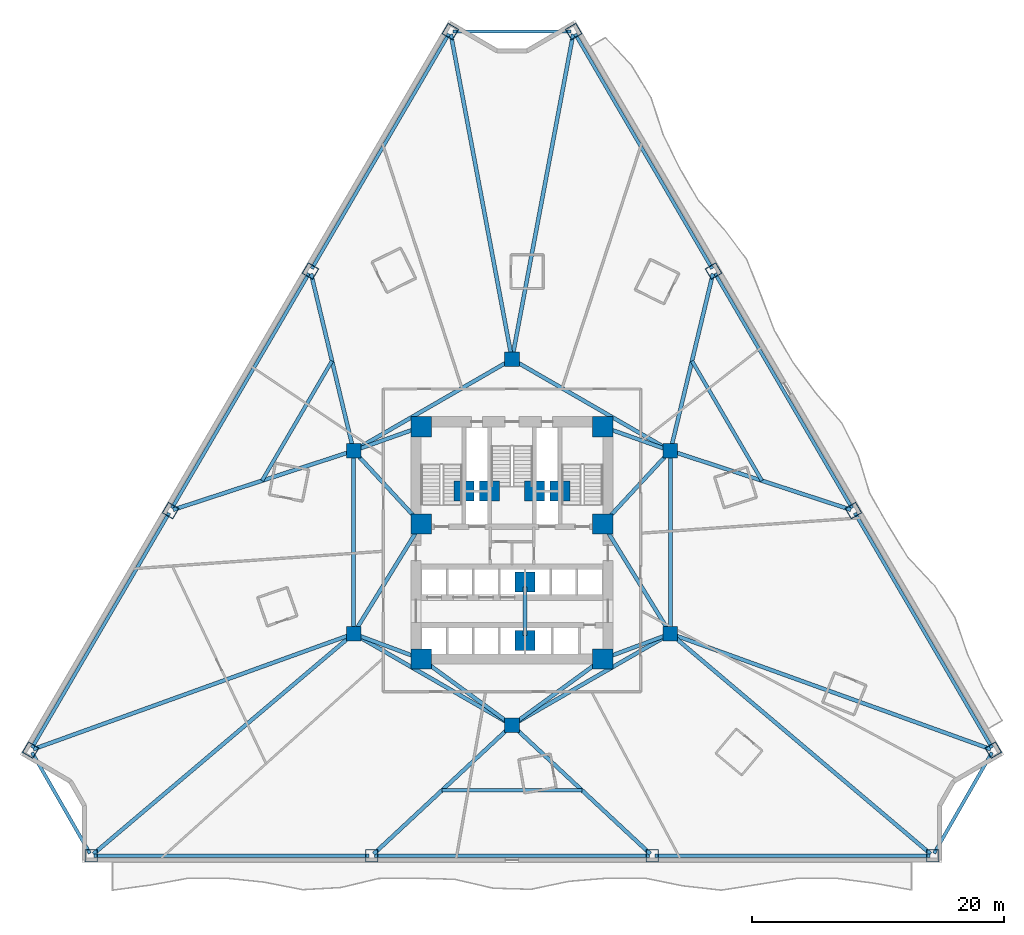
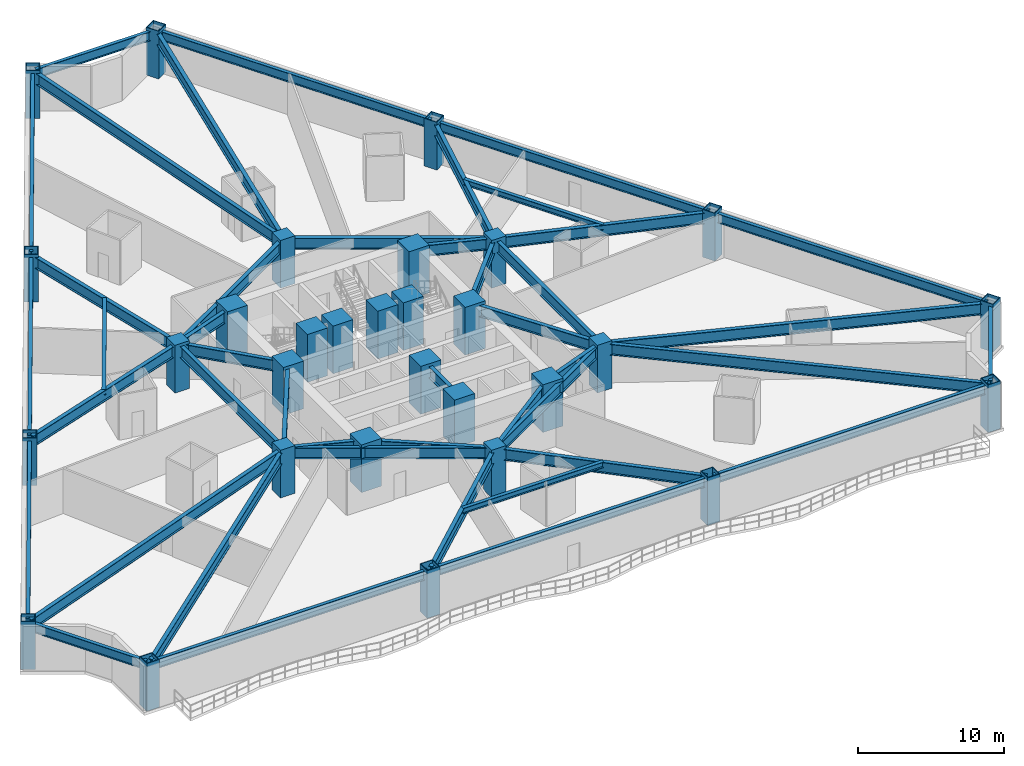
# One storey, part 1 of 10: 44 beams, 30 columns.
"""IFC4 building model written with IfcOpenShell, lengths in metres."""

from ifc_helpers import new_model, si_unit, direction, frame, origin, origin_2d, place, context, subcontext, project, spatial, rectangle, hollow_rectangle, i_section, extrude, material, material_profile, profile_set, type_object, element, save


model = new_model("IFC4")

# Units and contexts
model_context = context("Model", 3, precision=1e-05, world=origin(), true_north=direction((0.0, 1.0)))
body_context = subcontext(model_context, "Body", "Model", "MODEL_VIEW")
ifc_project = project(units=[si_unit("LENGTHUNIT", "METRE"), si_unit("AREAUNIT", "SQUARE_METRE"), si_unit("VOLUMEUNIT", "CUBIC_METRE"), si_unit("PLANEANGLEUNIT", "RADIAN"), si_unit("MASSUNIT", "GRAM", prefix="KILO")], contexts=[model_context])

# Site, building, storey
site_placement = place(None, origin())
site = spatial("IfcSite", under=ifc_project, at=site_placement, CompositionType="ELEMENT")
building_placement = place(site_placement, origin())
building = spatial("IfcBuilding", under=site, at=building_placement, Name="Apsidion Concourse Tower", CompositionType="ELEMENT")
storey_placement = place(building_placement, frame((0.0, 0.0, 38.39990234375)))
storey = spatial("IfcBuildingStorey", under=building, at=storey_placement, Name="L07", CompositionType="ELEMENT", Elevation=38.39990234375)

# Columns
ifc_material_1 = material(Name="Structural steel ASTM A572 Grade 50", Category="steel")
ifc_material_profile_1 = material_profile(ifc_material_1, hollow_rectangle(XDim=1.0, YDim=1.0, WallThickness=0.06005859375, at=origin_2d()), Name="BOX1000X1000X60")
ifc_profile_set_1 = profile_set([ifc_material_profile_1], Name="Structural steel ASTM A572 Grade 50")
column_type_1 = type_object("IfcColumnType", Name="COL-BOX-1000", PredefinedType="COLUMN", material=ifc_profile_set_1)
for number, where, z_axis, x_axis, name in (
    (1, (-4.887451171875, 40.481201171875, 0.0), (0.0, 0.0, 1.0), (0.50437692518, 0.863483594138, 0.0), "L07 Rotated Perimeter Column PC01"),
    (2, (-15.976318359375, 21.49365234375, 0.0), (0.0, 0.0, 1.0), (0.50437692518, 0.863483594138, 0.0), "L07 Rotated Perimeter Column PC02"),
    (3, (-27.065185546875, 2.50634765625, 0.0), (0.0, 0.0, 1.0), (0.50437692518, 0.863483594138, 0.0), "L07 Rotated Perimeter Column PC03"),
    (4, (-38.154052734375, -16.481201171875, 0.0), (0.0, 0.0, 1.0), (0.50437692518, 0.863483594138, 0.0), "L07 Rotated Perimeter Column PC04"),
    (5, (-33.35009765625, -24.85009765625, 0.0), (0.0, 0.0, 1.0), (1.0, 0.0, 0.0), "L07 Rotated Perimeter Column PC05"),
    (6, (-11.11669921875, -24.85009765625, 0.0), (0.0, 0.0, 1.0), (1.0, 0.0, 0.0), "L07 Rotated Perimeter Column PC06"),
    (7, (11.11669921875, -24.85009765625, 0.0), (0.0, 0.0, 1.0), (1.0, 0.0, 0.0), "L07 Rotated Perimeter Column PC07"),
    (8, (33.35009765625, -24.85009765625, 0.0), (0.0, 0.0, 1.0), (1.0, 0.0, 0.0), "L07 Rotated Perimeter Column PC08"),
    (9, (38.154052734375, -16.481201171875, 0.0), (0.0, 0.0, 1.0), (-0.50437692518, 0.863483594138, 0.0), "L07 Rotated Perimeter Column PC09"),
    (10, (27.065185546875, 2.50634765625, 0.0), (0.0, 0.0, 1.0), (-0.50437692518, 0.863483594138, 0.0), "L07 Rotated Perimeter Column PC10"),
    (11, (15.976318359375, 21.49365234375, 0.0), (0.0, 0.0, 1.0), (-0.50437692518, 0.863483594138, 0.0), "L07 Rotated Perimeter Column PC11"),
    (12, (4.887451171875, 40.481201171875, 0.0), (0.0, 0.0, 1.0), (-0.50437692518, 0.863483594138, 0.0), "L07 Rotated Perimeter Column PC12"),
):
    element("IfcColumn", number, at=place(storey_placement, frame(where, z_axis=z_axis, x_axis=x_axis)), inside=storey, type_object=column_type_1, Name=name, PredefinedType="COLUMN", context=body_context, shape_type="SweptSolid", body=[
        extrude(hollow_rectangle(XDim=1.0, YDim=1.0, WallThickness=0.06005859375, at=origin_2d()), origin(), (0.0, 0.0, 1.0), 4.0),
    ])
ifc_material_2 = material(Name="Concrete C50/60", Category="concrete")
ifc_material_profile_2 = material_profile(ifc_material_2, rectangle(XDim=1.14990234375, YDim=1.14990234375, at=origin_2d()), Name="RC 1150x1150")
ifc_profile_set_2 = profile_set([ifc_material_profile_2], Name="Concrete C50/60")
column_type_2 = type_object("IfcColumnType", Name="COL-RC-1150", PredefinedType="COLUMN", material=ifc_profile_set_2)
for number, where, z_axis, x_axis, name in (
    (13, (-12.56005859375, -7.25, 0.0), (0.0, 0.0, 1.0), (1.0, 0.0, 0.0), "L07 Interior Spine Column IC1"),
    (14, (12.56005859375, -7.25, 0.0), (0.0, 0.0, 1.0), (1.0, 0.0, 0.0), "L07 Interior Spine Column IC2"),
    (15, (12.56005859375, 7.25, 0.0), (0.0, 0.0, 1.0), (1.0, 0.0, 0.0), "L07 Interior Spine Column IC3"),
    (16, (0.0, 14.5, 0.0), (0.0, 0.0, 1.0), (1.0, 0.0, 0.0), "L07 Interior Spine Column IC4"),
    (17, (-12.56005859375, 7.25, 0.0), (0.0, 0.0, 1.0), (1.0, 0.0, 0.0), "L07 Interior Spine Column IC5"),
    (18, (0.0, -14.5, 0.0), (0.0, 0.0, 1.0), (1.0, 0.0, 0.0), "L07 Interior Spine Column IC6"),
):
    element("IfcColumn", number, at=place(storey_placement, frame(where, z_axis=z_axis, x_axis=x_axis)), inside=storey, type_object=column_type_2, Name=name, PredefinedType="COLUMN", context=body_context, shape_type="SweptSolid", body=[
        extrude(rectangle(XDim=1.14990234375, YDim=1.14990234375, at=origin_2d()), origin(), (0.0, 0.0, 1.0), 4.0),
    ])
ifc_material_3 = material(Name="Concrete C60/75", Category="concrete")
ifc_material_profile_3 = material_profile(ifc_material_3, rectangle(XDim=1.60009765625, YDim=1.60009765625, at=origin_2d()), Name="RC 1600x1600")
ifc_profile_set_3 = profile_set([ifc_material_profile_3], Name="Concrete C60/75")
column_type_3 = type_object("IfcColumnType", Name="COL-RC-1600", PredefinedType="COLUMN", material=ifc_profile_set_3)
for number, where, z_axis, x_axis, name in (
    (19, (-7.199951171875, -9.25, 0.0), (0.0, 0.0, 1.0), (1.0, 0.0, 0.0), "L07 Core Super-Column SC1"),
    (20, (7.199951171875, -9.25, 0.0), (0.0, 0.0, 1.0), (1.0, 0.0, 0.0), "L07 Core Super-Column SC2"),
    (21, (7.199951171875, 1.449951171875, 0.0), (0.0, 0.0, 1.0), (1.0, 0.0, 0.0), "L07 Core Super-Column SC3"),
    (22, (7.199951171875, 9.14990234375, 0.0), (0.0, 0.0, 1.0), (1.0, 0.0, 0.0), "L07 Core Super-Column SC4"),
    (23, (-7.199951171875, 9.14990234375, 0.0), (0.0, 0.0, 1.0), (1.0, 0.0, 0.0), "L07 Core Super-Column SC5"),
    (24, (-7.199951171875, 1.449951171875, 0.0), (0.0, 0.0, 1.0), (1.0, 0.0, 0.0), "L07 Core Super-Column SC6"),
    (25, (-3.800048828125, 4.050048828125, 0.0), (0.0, 0.0, 1.0), (1.0, 0.0, 0.0), "L07 Core Super-Column CC1"),
    (26, (3.800048828125, 4.050048828125, 0.0), (0.0, 0.0, 1.0), (1.0, 0.0, 0.0), "L07 Core Super-Column CC2"),
    (27, (-1.77490234375, 4.050048828125, 0.0), (0.0, 0.0, 1.0), (1.0, 0.0, 0.0), "L07 Core Super-Column CC3"),
    (28, (1.77490234375, 4.050048828125, 0.0), (0.0, 0.0, 1.0), (1.0, 0.0, 0.0), "L07 Core Super-Column CC4"),
    (29, (1.02490234375, -3.14990234375, 0.0), (0.0, 0.0, 1.0), (1.0, 0.0, 0.0), "L07 Core Super-Column CC5"),
    (30, (1.02490234375, -7.800048828125, 0.0), (0.0, 0.0, 1.0), (1.0, 0.0, 0.0), "L07 Core Super-Column CC6"),
):
    element("IfcColumn", number, at=place(storey_placement, frame(where, z_axis=z_axis, x_axis=x_axis)), inside=storey, type_object=column_type_3, Name=name, PredefinedType="COLUMN", context=body_context, shape_type="SweptSolid", body=[
        extrude(rectangle(XDim=1.60009765625, YDim=1.60009765625, at=origin_2d()), origin(), (0.0, 0.0, 1.0), 4.0),
    ])

# Beams
ifc_material_4 = material(Name="Structural steel ASTM A992 Grade 50", Category="steel")
ifc_material_profile_4 = material_profile(ifc_material_4, i_section(OverallWidth=0.283935546875, OverallDepth=0.47607421875, WebThickness=0.014892578125, FlangeThickness=0.02392578125, at=origin_2d()), Name="W18X106")
ifc_profile_set_4 = profile_set([ifc_material_profile_4], Name="Structural steel ASTM A992 Grade 50")
beam_type_1 = type_object("IfcBeamType", Name="BM-FL-W18H", PredefinedType="BEAM", material=ifc_profile_set_4)
beam_1_placement = place(storey_placement, frame((-14.268310546875, 14.371826171875, 3.51220703125), z_axis=(-0.504293469124, -0.863532336974, 0.0), x_axis=(0.863532336974, -0.504293469124, 0.0)))
element("IfcBeam", 31, at=beam_1_placement, inside=storey, type_object=beam_type_1, Name="L07 Secondary Floor Beam SEC-F1", PredefinedType="BEAM", context=body_context, shape_type="SweptSolid", body=[
    extrude(i_section(OverallWidth=0.283935546875, OverallDepth=0.47607421875, WebThickness=0.014892578125, FlangeThickness=0.02392578125, at=origin_2d()), origin(), (0.0, 0.0, 1.0), 10.993896484375),
])
beam_2_placement = place(storey_placement, frame((-5.558349609375, -19.675048828125, 3.51220703125), z_axis=(1.0, 0.0, 0.0), x_axis=(0.0, 1.0, 0.0)))
element("IfcBeam", 32, at=beam_2_placement, inside=storey, type_object=beam_type_1, Name="L07 Secondary Floor Beam SEC-F2", PredefinedType="BEAM", context=body_context, shape_type="SweptSolid", body=[
    extrude(i_section(OverallWidth=0.283935546875, OverallDepth=0.47607421875, WebThickness=0.014892578125, FlangeThickness=0.02392578125, at=origin_2d()), origin(), (0.0, 0.0, 1.0), 11.11669921875),
])
beam_3_placement = place(storey_placement, frame((19.8125, 4.878173828125, 3.51220703125), z_axis=(-0.504293469124, 0.863532336974, 0.0), x_axis=(-0.863532336974, -0.504293469124, 0.0)))
element("IfcBeam", 33, at=beam_3_placement, inside=storey, type_object=beam_type_1, Name="L07 Secondary Floor Beam SEC-F3", PredefinedType="BEAM", context=body_context, shape_type="SweptSolid", body=[
    extrude(i_section(OverallWidth=0.283935546875, OverallDepth=0.47607421875, WebThickness=0.014892578125, FlangeThickness=0.02392578125, at=origin_2d()), origin(), (0.0, 0.0, 1.0), 10.993896484375),
])
ifc_material_profile_5 = material_profile(ifc_material_4, i_section(OverallWidth=0.31005859375, OverallDepth=0.931884765625, WebThickness=0.02099609375, FlangeThickness=0.034423828125, at=origin_2d()), Name="W36X210")
ifc_profile_set_5 = profile_set([ifc_material_profile_5], Name="Structural steel ASTM A992 Grade 50")
beam_type_2 = type_object("IfcBeamType", Name="BM-G-W36", PredefinedType="USERDEFINED", material=ifc_profile_set_5)
beam_4_placement = place(storey_placement, frame((-12.185302734375, -7.389892578125, 3.2841796875), z_axis=(0.936913021145, -0.349562570664, 0.0), x_axis=(0.349562570664, 0.936913021145, 0.0)))
element("IfcBeam", 34, at=beam_4_placement, inside=storey, type_object=beam_type_2, Name="L07 Core Coupling Girder IC1-SC1", ObjectType="GIRDER", PredefinedType="USERDEFINED", context=body_context, shape_type="SweptSolid", body=[
    extrude(i_section(OverallWidth=0.31005859375, OverallDepth=0.931884765625, WebThickness=0.02099609375, FlangeThickness=0.034423828125, at=origin_2d()), origin(), (0.0, 0.0, 1.0), 4.921142578125),
])
beam_5_placement = place(storey_placement, frame((-12.35009765625, -6.909423828125, 3.2841796875), z_axis=(0.524524009763, 0.851395656074, 0.0), x_axis=(-0.851395656074, 0.524524009763, 0.0)))
element("IfcBeam", 35, at=beam_5_placement, inside=storey, type_object=beam_type_2, Name="L07 Core Coupling Girder IC1-SC6", ObjectType="GIRDER", PredefinedType="USERDEFINED", context=body_context, shape_type="SweptSolid", body=[
    extrude(i_section(OverallWidth=0.31005859375, OverallDepth=0.931884765625, WebThickness=0.02099609375, FlangeThickness=0.034423828125, at=origin_2d()), origin(), (0.0, 0.0, 1.0), 9.41845703125),
])
beam_6_placement = place(storey_placement, frame((12.185302734375, -7.389892578125, 3.2841796875), z_axis=(-0.936913021145, -0.349562570664, 0.0), x_axis=(0.349562570664, -0.936913021145, 0.0)))
element("IfcBeam", 36, at=beam_6_placement, inside=storey, type_object=beam_type_2, Name="L07 Core Coupling Girder IC2-SC2", ObjectType="GIRDER", PredefinedType="USERDEFINED", context=body_context, shape_type="SweptSolid", body=[
    extrude(i_section(OverallWidth=0.31005859375, OverallDepth=0.931884765625, WebThickness=0.02099609375, FlangeThickness=0.034423828125, at=origin_2d()), origin(), (0.0, 0.0, 1.0), 4.921142578125),
])
beam_7_placement = place(storey_placement, frame((12.35009765625, -6.909423828125, 3.2841796875), z_axis=(-0.524524009763, 0.851395656074, 0.0), x_axis=(-0.851395656074, -0.524524009763, 0.0)))
element("IfcBeam", 37, at=beam_7_placement, inside=storey, type_object=beam_type_2, Name="L07 Core Coupling Girder IC2-SC3", ObjectType="GIRDER", PredefinedType="USERDEFINED", context=body_context, shape_type="SweptSolid", body=[
    extrude(i_section(OverallWidth=0.31005859375, OverallDepth=0.931884765625, WebThickness=0.02099609375, FlangeThickness=0.034423828125, at=origin_2d()), origin(), (0.0, 0.0, 1.0), 9.41845703125),
])
beam_8_placement = place(storey_placement, frame((12.28857421875, 6.956298828125, 3.2841796875), z_axis=(-0.678712876106, -0.73440372535, 0.0), x_axis=(0.73440372535, -0.678712876106, 0.0)))
element("IfcBeam", 38, at=beam_8_placement, inside=storey, type_object=beam_type_2, Name="L07 Core Coupling Girder IC3-SC3", ObjectType="GIRDER", PredefinedType="USERDEFINED", context=body_context, shape_type="SweptSolid", body=[
    extrude(i_section(OverallWidth=0.31005859375, OverallDepth=0.931884765625, WebThickness=0.02099609375, FlangeThickness=0.034423828125, at=origin_2d()), origin(), (0.0, 0.0, 1.0), 7.097412109375),
])
beam_9_placement = place(storey_placement, frame((12.18310546875, 7.383544921875, 3.2841796875), z_axis=(-0.942533844539, 0.334110688094, 0.0), x_axis=(-0.334110688094, -0.942533844539, 0.0)))
element("IfcBeam", 39, at=beam_9_placement, inside=storey, type_object=beam_type_2, Name="L07 Core Coupling Girder IC3-SC4", ObjectType="GIRDER", PredefinedType="USERDEFINED", context=body_context, shape_type="SweptSolid", body=[
    extrude(i_section(OverallWidth=0.31005859375, OverallDepth=0.931884765625, WebThickness=0.02099609375, FlangeThickness=0.034423828125, at=origin_2d()), origin(), (0.0, 0.0, 1.0), 4.886962890625),
])
beam_10_placement = place(storey_placement, frame((-12.28857421875, 6.956298828125, 3.2841796875), z_axis=(0.678712876106, -0.73440372535, 0.0), x_axis=(0.73440372535, 0.678712876106, 0.0)))
element("IfcBeam", 40, at=beam_10_placement, inside=storey, type_object=beam_type_2, Name="L07 Core Coupling Girder IC5-SC6", ObjectType="GIRDER", PredefinedType="USERDEFINED", context=body_context, shape_type="SweptSolid", body=[
    extrude(i_section(OverallWidth=0.31005859375, OverallDepth=0.931884765625, WebThickness=0.02099609375, FlangeThickness=0.034423828125, at=origin_2d()), origin(), (0.0, 0.0, 1.0), 7.097412109375),
])
beam_11_placement = place(storey_placement, frame((-12.18310546875, 7.383544921875, 3.2841796875), z_axis=(0.942533844539, 0.334110688094, 0.0), x_axis=(-0.334110688094, 0.942533844539, 0.0)))
element("IfcBeam", 41, at=beam_11_placement, inside=storey, type_object=beam_type_2, Name="L07 Core Coupling Girder IC5-SC5", ObjectType="GIRDER", PredefinedType="USERDEFINED", context=body_context, shape_type="SweptSolid", body=[
    extrude(i_section(OverallWidth=0.31005859375, OverallDepth=0.931884765625, WebThickness=0.02099609375, FlangeThickness=0.034423828125, at=origin_2d()), origin(), (0.0, 0.0, 1.0), 4.886962890625),
])
for number, where, z_axis, x_axis, name in (
    (42, (-0.3232421875, -14.264404296875, 3.2841796875), (-0.807993498909, 0.589191399905, 0.0), (-0.589191399905, -0.807993498909, 0.0), "L07 Core Coupling Girder IC6-SC1"),
    (43, (0.3232421875, -14.264404296875, 3.2841796875), (0.807993498909, 0.589191399905, 0.0), (-0.589191399905, 0.807993498909, 0.0), "L07 Core Coupling Girder IC6-SC2"),
):
    element("IfcBeam", number, at=place(storey_placement, frame(where, z_axis=z_axis, x_axis=x_axis)), inside=storey, type_object=beam_type_2, Name=name, ObjectType="GIRDER", PredefinedType="USERDEFINED", context=body_context, shape_type="SweptSolid", body=[
        extrude(i_section(OverallWidth=0.31005859375, OverallDepth=0.931884765625, WebThickness=0.02099609375, FlangeThickness=0.034423828125, at=origin_2d()), origin(), (0.0, 0.0, 1.0), 8.11083984375),
    ])
beam_12_placement = place(storey_placement, frame((-12.56005859375, -6.85009765625, 3.2841796875), z_axis=(0.0, 1.0, 0.0), x_axis=(-1.0, 0.0, 0.0)))
element("IfcBeam", 44, at=beam_12_placement, inside=storey, type_object=beam_type_2, Name="L07 Core Coupling Girder IC1-IC5", ObjectType="GIRDER", PredefinedType="USERDEFINED", context=body_context, shape_type="SweptSolid", body=[
    extrude(i_section(OverallWidth=0.31005859375, OverallDepth=0.931884765625, WebThickness=0.02099609375, FlangeThickness=0.034423828125, at=origin_2d()), origin(), (0.0, 0.0, 1.0), 13.7001953125),
])
for number, where, z_axis, x_axis, name in (
    (45, (-12.213623046875, 7.449951171875, 3.2841796875), (0.866070471464, 0.499921932364, 0.0), (-0.499921932364, 0.866070471464, 0.0), "L07 Core Coupling Girder IC5-IC4"),
    (46, (0.346435546875, 14.300048828125, 3.2841796875), (0.866070471464, -0.499921932364, 0.0), (0.499921932364, 0.866070471464, 0.0), "L07 Core Coupling Girder IC4-IC3"),
):
    element("IfcBeam", number, at=place(storey_placement, frame(where, z_axis=z_axis, x_axis=x_axis)), inside=storey, type_object=beam_type_2, Name=name, ObjectType="GIRDER", PredefinedType="USERDEFINED", context=body_context, shape_type="SweptSolid", body=[
        extrude(i_section(OverallWidth=0.31005859375, OverallDepth=0.931884765625, WebThickness=0.02099609375, FlangeThickness=0.034423828125, at=origin_2d()), origin(), (0.0, 0.0, 1.0), 13.702392578125),
    ])
beam_13_placement = place(storey_placement, frame((12.56005859375, 6.85009765625, 3.2841796875), z_axis=(0.0, -1.0, 0.0), x_axis=(1.0, 0.0, 0.0)))
element("IfcBeam", 47, at=beam_13_placement, inside=storey, type_object=beam_type_2, Name="L07 Core Coupling Girder IC3-IC2", ObjectType="GIRDER", PredefinedType="USERDEFINED", context=body_context, shape_type="SweptSolid", body=[
    extrude(i_section(OverallWidth=0.31005859375, OverallDepth=0.931884765625, WebThickness=0.02099609375, FlangeThickness=0.034423828125, at=origin_2d()), origin(), (0.0, 0.0, 1.0), 13.7001953125),
])
for number, where, z_axis, x_axis, name in (
    (48, (12.213623046875, -7.449951171875, 3.2841796875), (-0.866070471464, -0.499921932364, 0.0), (0.499921932364, -0.866070471464, 0.0), "L07 Core Coupling Girder IC2-IC6"),
    (49, (-0.346435546875, -14.300048828125, 3.2841796875), (-0.866070471464, 0.499921932364, 0.0), (-0.499921932364, -0.866070471464, 0.0), "L07 Core Coupling Girder IC6-IC1"),
):
    element("IfcBeam", number, at=place(storey_placement, frame(where, z_axis=z_axis, x_axis=x_axis)), inside=storey, type_object=beam_type_2, Name=name, ObjectType="GIRDER", PredefinedType="USERDEFINED", context=body_context, shape_type="SweptSolid", body=[
        extrude(i_section(OverallWidth=0.31005859375, OverallDepth=0.931884765625, WebThickness=0.02099609375, FlangeThickness=0.034423828125, at=origin_2d()), origin(), (0.0, 0.0, 1.0), 13.702392578125),
    ])
beam_14_placement = place(storey_placement, frame((1.02490234375, -3.550048828125, 3.2841796875), z_axis=(0.0, -1.0, 0.0), x_axis=(1.0, 0.0, 0.0)))
element("IfcBeam", 50, at=beam_14_placement, inside=storey, type_object=beam_type_2, Name="L07 Core Coupling Girder CC5-CC6", ObjectType="GIRDER", PredefinedType="USERDEFINED", context=body_context, shape_type="SweptSolid", body=[
    extrude(i_section(OverallWidth=0.31005859375, OverallDepth=0.931884765625, WebThickness=0.02099609375, FlangeThickness=0.034423828125, at=origin_2d()), origin(), (0.0, 0.0, 1.0), 3.849853515625),
])
beam_15_placement = place(storey_placement, frame((-0.040771484375, 14.71630859375, 3.2841796875), z_axis=(-0.184866293989, 0.982763681333, 0.0), x_axis=(-0.982763681333, -0.184866293989, 0.0)))
element("IfcBeam", 51, at=beam_15_placement, inside=storey, type_object=beam_type_2, Name="L07 Radial Floor Girder RAD-01", ObjectType="GIRDER", PredefinedType="USERDEFINED", context=body_context, shape_type="SweptSolid", body=[
    extrude(i_section(OverallWidth=0.31005859375, OverallDepth=0.931884765625, WebThickness=0.02099609375, FlangeThickness=0.034423828125, at=origin_2d()), origin(), (0.0, 0.0, 1.0), 25.99658203125),
])
beam_16_placement = place(storey_placement, frame((-12.611328125, 7.4638671875, 3.2841796875), z_axis=(-0.233233219452, 0.972420827288, 0.0), x_axis=(-0.972420827288, -0.233233219452, 0.0)))
element("IfcBeam", 52, at=beam_16_placement, inside=storey, type_object=beam_type_2, Name="L07 Radial Floor Girder RAD-02", ObjectType="GIRDER", PredefinedType="USERDEFINED", context=body_context, shape_type="SweptSolid", body=[
    extrude(i_section(OverallWidth=0.31005859375, OverallDepth=0.931884765625, WebThickness=0.02099609375, FlangeThickness=0.034423828125, at=origin_2d()), origin(), (0.0, 0.0, 1.0), 14.207763671875),
])
beam_17_placement = place(storey_placement, frame((-12.76904296875, 7.181640625, 3.2841796875), z_axis=(-0.950465100465, -0.310831293145, 0.0), x_axis=(0.310831293145, -0.950465100465, 0.0)))
element("IfcBeam", 53, at=beam_17_placement, inside=storey, type_object=beam_type_2, Name="L07 Radial Floor Girder RAD-03", ObjectType="GIRDER", PredefinedType="USERDEFINED", context=body_context, shape_type="SweptSolid", body=[
    extrude(i_section(OverallWidth=0.31005859375, OverallDepth=0.931884765625, WebThickness=0.02099609375, FlangeThickness=0.034423828125, at=origin_2d()), origin(), (0.0, 0.0, 1.0), 14.8212890625),
])
beam_18_placement = place(storey_placement, frame((-12.76708984375, -7.32470703125, 3.2841796875), z_axis=(-0.940684701446, -0.339282024968, 0.0), x_axis=(0.339282024968, -0.940684701446, 0.0)))
element("IfcBeam", 54, at=beam_18_placement, inside=storey, type_object=beam_type_2, Name="L07 Radial Floor Girder RAD-04", ObjectType="GIRDER", PredefinedType="USERDEFINED", context=body_context, shape_type="SweptSolid", body=[
    extrude(i_section(OverallWidth=0.31005859375, OverallDepth=0.931884765625, WebThickness=0.02099609375, FlangeThickness=0.034423828125, at=origin_2d()), origin(), (0.0, 0.0, 1.0), 26.767578125),
])
beam_19_placement = place(storey_placement, frame((-12.727783203125, -7.39208984375, 3.2841796875), z_axis=(-0.763231804576, -0.646124765416, 0.0), x_axis=(0.646124765416, -0.763231804576, 0.0)))
element("IfcBeam", 55, at=beam_19_placement, inside=storey, type_object=beam_type_2, Name="L07 Radial Floor Girder RAD-05", ObjectType="GIRDER", PredefinedType="USERDEFINED", context=body_context, shape_type="SweptSolid", body=[
    extrude(i_section(OverallWidth=0.31005859375, OverallDepth=0.931884765625, WebThickness=0.02099609375, FlangeThickness=0.034423828125, at=origin_2d()), origin(), (0.0, 0.0, 1.0), 26.799560546875),
])
for number, where, z_axis, x_axis, name in (
    (56, (-0.160888671875, -14.64990234375, 3.2841796875), (-0.731899098402, -0.681413024353, 0.0), (0.681413024353, -0.731899098402, 0.0), "L07 Radial Floor Girder RAD-06"),
    (57, (0.160888671875, -14.64990234375, 3.2841796875), (0.731899098402, -0.681413024353, 0.0), (0.681413024353, 0.731899098402, 0.0), "L07 Radial Floor Girder RAD-07"),
):
    element("IfcBeam", number, at=place(storey_placement, frame(where, z_axis=z_axis, x_axis=x_axis)), inside=storey, type_object=beam_type_2, Name=name, ObjectType="GIRDER", PredefinedType="USERDEFINED", context=body_context, shape_type="SweptSolid", body=[
        extrude(i_section(OverallWidth=0.31005859375, OverallDepth=0.931884765625, WebThickness=0.02099609375, FlangeThickness=0.034423828125, at=origin_2d()), origin(), (0.0, 0.0, 1.0), 14.749267578125),
    ])
beam_20_placement = place(storey_placement, frame((12.727783203125, -7.39208984375, 3.2841796875), z_axis=(0.763231804576, -0.646124765416, 0.0), x_axis=(0.646124765416, 0.763231804576, 0.0)))
element("IfcBeam", 58, at=beam_20_placement, inside=storey, type_object=beam_type_2, Name="L07 Radial Floor Girder RAD-08", ObjectType="GIRDER", PredefinedType="USERDEFINED", context=body_context, shape_type="SweptSolid", body=[
    extrude(i_section(OverallWidth=0.31005859375, OverallDepth=0.931884765625, WebThickness=0.02099609375, FlangeThickness=0.034423828125, at=origin_2d()), origin(), (0.0, 0.0, 1.0), 26.799560546875),
])
beam_21_placement = place(storey_placement, frame((12.76708984375, -7.32470703125, 3.2841796875), z_axis=(0.940684701446, -0.339282024968, 0.0), x_axis=(0.339282024968, 0.940684701446, 0.0)))
element("IfcBeam", 59, at=beam_21_placement, inside=storey, type_object=beam_type_2, Name="L07 Radial Floor Girder RAD-09", ObjectType="GIRDER", PredefinedType="USERDEFINED", context=body_context, shape_type="SweptSolid", body=[
    extrude(i_section(OverallWidth=0.31005859375, OverallDepth=0.931884765625, WebThickness=0.02099609375, FlangeThickness=0.034423828125, at=origin_2d()), origin(), (0.0, 0.0, 1.0), 26.767578125),
])
beam_22_placement = place(storey_placement, frame((12.76904296875, 7.181640625, 3.2841796875), z_axis=(0.950465100465, -0.310831293145, 0.0), x_axis=(0.310831293145, 0.950465100465, 0.0)))
element("IfcBeam", 60, at=beam_22_placement, inside=storey, type_object=beam_type_2, Name="L07 Radial Floor Girder RAD-10", ObjectType="GIRDER", PredefinedType="USERDEFINED", context=body_context, shape_type="SweptSolid", body=[
    extrude(i_section(OverallWidth=0.31005859375, OverallDepth=0.931884765625, WebThickness=0.02099609375, FlangeThickness=0.034423828125, at=origin_2d()), origin(), (0.0, 0.0, 1.0), 14.8212890625),
])
beam_23_placement = place(storey_placement, frame((12.611328125, 7.4638671875, 3.2841796875), z_axis=(0.233233219452, 0.972420827288, 0.0), x_axis=(-0.972420827288, 0.233233219452, 0.0)))
element("IfcBeam", 61, at=beam_23_placement, inside=storey, type_object=beam_type_2, Name="L07 Radial Floor Girder RAD-11", ObjectType="GIRDER", PredefinedType="USERDEFINED", context=body_context, shape_type="SweptSolid", body=[
    extrude(i_section(OverallWidth=0.31005859375, OverallDepth=0.931884765625, WebThickness=0.02099609375, FlangeThickness=0.034423828125, at=origin_2d()), origin(), (0.0, 0.0, 1.0), 14.207763671875),
])
beam_24_placement = place(storey_placement, frame((0.040771484375, 14.71630859375, 3.2841796875), z_axis=(0.184866293989, 0.982763681333, 0.0), x_axis=(-0.982763681333, 0.184866293989, 0.0)))
element("IfcBeam", 62, at=beam_24_placement, inside=storey, type_object=beam_type_2, Name="L07 Radial Floor Girder RAD-12", ObjectType="GIRDER", PredefinedType="USERDEFINED", context=body_context, shape_type="SweptSolid", body=[
    extrude(i_section(OverallWidth=0.31005859375, OverallDepth=0.931884765625, WebThickness=0.02099609375, FlangeThickness=0.034423828125, at=origin_2d()), origin(), (0.0, 0.0, 1.0), 25.99658203125),
])
ifc_material_profile_6 = material_profile(ifc_material_4, i_section(OverallWidth=0.26806640625, OverallDepth=0.77001953125, WebThickness=0.015625, FlangeThickness=0.025390625, at=origin_2d()), Name="W30X132")
ifc_profile_set_6 = profile_set([ifc_material_profile_6], Name="Structural steel ASTM A992 Grade 50")
beam_type_3 = type_object("IfcBeamType", Name="BM-SP-W30", PredefinedType="SPANDREL", material=ifc_profile_set_6)
for number, where, z_axis, x_axis, name in (
    (63, (-4.998291015625, 40.291015625, 3.364990234375), (-0.504316170532, -0.863519079198, 0.0), (0.863519079198, -0.504316170532, 0.0), "L07 Perimeter Spandrel Girder SP-01"),
    (64, (-16.087158203125, 21.3037109375, 3.364990234375), (-0.504316170532, -0.863519079198, 0.0), (0.863519079198, -0.504316170532, 0.0), "L07 Perimeter Spandrel Girder SP-02"),
    (65, (-27.176025390625, 2.31640625, 3.364990234375), (-0.504316170532, -0.863519079198, 0.0), (0.863519079198, -0.504316170532, 0.0), "L07 Perimeter Spandrel Girder SP-03"),
):
    element("IfcBeam", number, at=place(storey_placement, frame(where, z_axis=z_axis, x_axis=x_axis)), inside=storey, type_object=beam_type_3, Name=name, PredefinedType="SPANDREL", context=body_context, shape_type="SweptSolid", body=[
        extrude(i_section(OverallWidth=0.26806640625, OverallDepth=0.77001953125, WebThickness=0.015625, FlangeThickness=0.025390625, at=origin_2d()), origin(), (0.0, 0.0, 1.0), 21.54833984375),
    ])
beam_25_placement = place(storey_placement, frame((-38.04443359375, -16.671875, 3.364990234375), z_axis=(0.497839457155, -0.867269205553, 0.0), x_axis=(0.867269205553, 0.497839457155, 0.0)))
element("IfcBeam", 66, at=beam_25_placement, inside=storey, type_object=beam_type_3, Name="L07 Perimeter Spandrel Girder SP-04", PredefinedType="SPANDREL", context=body_context, shape_type="SweptSolid", body=[
    extrude(i_section(OverallWidth=0.26806640625, OverallDepth=0.77001953125, WebThickness=0.015625, FlangeThickness=0.025390625, at=origin_2d()), origin(), (0.0, 0.0, 1.0), 9.209716796875),
])
beam_26_placement = place(storey_placement, frame((-33.1298828125, -24.85009765625, 3.364990234375), z_axis=(1.0, 0.0, 0.0), x_axis=(0.0, 1.0, 0.0)))
element("IfcBeam", 67, at=beam_26_placement, inside=storey, type_object=beam_type_3, Name="L07 Perimeter Spandrel Girder SP-05", PredefinedType="SPANDREL", context=body_context, shape_type="SweptSolid", body=[
    extrude(i_section(OverallWidth=0.26806640625, OverallDepth=0.77001953125, WebThickness=0.015625, FlangeThickness=0.025390625, at=origin_2d()), origin(), (0.0, 0.0, 1.0), 21.793212890625),
])
beam_27_placement = place(storey_placement, frame((-10.896728515625, -24.85009765625, 3.364990234375), z_axis=(1.0, 0.0, 0.0), x_axis=(0.0, 1.0, 0.0)))
element("IfcBeam", 68, at=beam_27_placement, inside=storey, type_object=beam_type_3, Name="L07 Perimeter Spandrel Girder SP-06", PredefinedType="SPANDREL", context=body_context, shape_type="SweptSolid", body=[
    extrude(i_section(OverallWidth=0.26806640625, OverallDepth=0.77001953125, WebThickness=0.015625, FlangeThickness=0.025390625, at=origin_2d()), origin(), (0.0, 0.0, 1.0), 21.79345703125),
])
beam_28_placement = place(storey_placement, frame((11.336669921875, -24.85009765625, 3.364990234375), z_axis=(1.0, 0.0, 0.0), x_axis=(0.0, 1.0, 0.0)))
element("IfcBeam", 69, at=beam_28_placement, inside=storey, type_object=beam_type_3, Name="L07 Perimeter Spandrel Girder SP-07", PredefinedType="SPANDREL", context=body_context, shape_type="SweptSolid", body=[
    extrude(i_section(OverallWidth=0.26806640625, OverallDepth=0.77001953125, WebThickness=0.015625, FlangeThickness=0.025390625, at=origin_2d()), origin(), (0.0, 0.0, 1.0), 21.793212890625),
])
beam_29_placement = place(storey_placement, frame((33.45947265625, -24.6591796875, 3.364990234375), z_axis=(0.497839457155, 0.867269205553, 0.0), x_axis=(-0.867269205553, 0.497839457155, 0.0)))
element("IfcBeam", 70, at=beam_29_placement, inside=storey, type_object=beam_type_3, Name="L07 Perimeter Spandrel Girder SP-08", PredefinedType="SPANDREL", context=body_context, shape_type="SweptSolid", body=[
    extrude(i_section(OverallWidth=0.26806640625, OverallDepth=0.77001953125, WebThickness=0.015625, FlangeThickness=0.025390625, at=origin_2d()), origin(), (0.0, 0.0, 1.0), 9.209716796875),
])
for number, where, z_axis, x_axis, name in (
    (71, (38.043212890625, -16.291015625, 3.364990234375), (-0.504316170532, 0.863519079198, 0.0), (-0.863519079198, -0.504316170532, 0.0), "L07 Perimeter Spandrel Girder SP-09"),
    (72, (26.954345703125, 2.6962890625, 3.364990234375), (-0.504316170532, 0.863519079198, 0.0), (-0.863519079198, -0.504316170532, 0.0), "L07 Perimeter Spandrel Girder SP-10"),
    (73, (15.865478515625, 21.68359375, 3.364990234375), (-0.504316170532, 0.863519079198, 0.0), (-0.863519079198, -0.504316170532, 0.0), "L07 Perimeter Spandrel Girder SP-11"),
):
    element("IfcBeam", number, at=place(storey_placement, frame(where, z_axis=z_axis, x_axis=x_axis)), inside=storey, type_object=beam_type_3, Name=name, PredefinedType="SPANDREL", context=body_context, shape_type="SweptSolid", body=[
        extrude(i_section(OverallWidth=0.26806640625, OverallDepth=0.77001953125, WebThickness=0.015625, FlangeThickness=0.025390625, at=origin_2d()), origin(), (0.0, 0.0, 1.0), 21.54833984375),
    ])
beam_30_placement = place(storey_placement, frame((4.66748046875, 40.481201171875, 3.364990234375), z_axis=(-1.0, 0.0, 0.0), x_axis=(0.0, -1.0, 0.0)))
element("IfcBeam", 74, at=beam_30_placement, inside=storey, type_object=beam_type_3, Name="L07 Perimeter Spandrel Girder SP-12", PredefinedType="SPANDREL", context=body_context, shape_type="SweptSolid", body=[
    extrude(i_section(OverallWidth=0.26806640625, OverallDepth=0.77001953125, WebThickness=0.015625, FlangeThickness=0.025390625, at=origin_2d()), origin(), (0.0, 0.0, 1.0), 9.3349609375),
])

save(model, "model.ifc")
